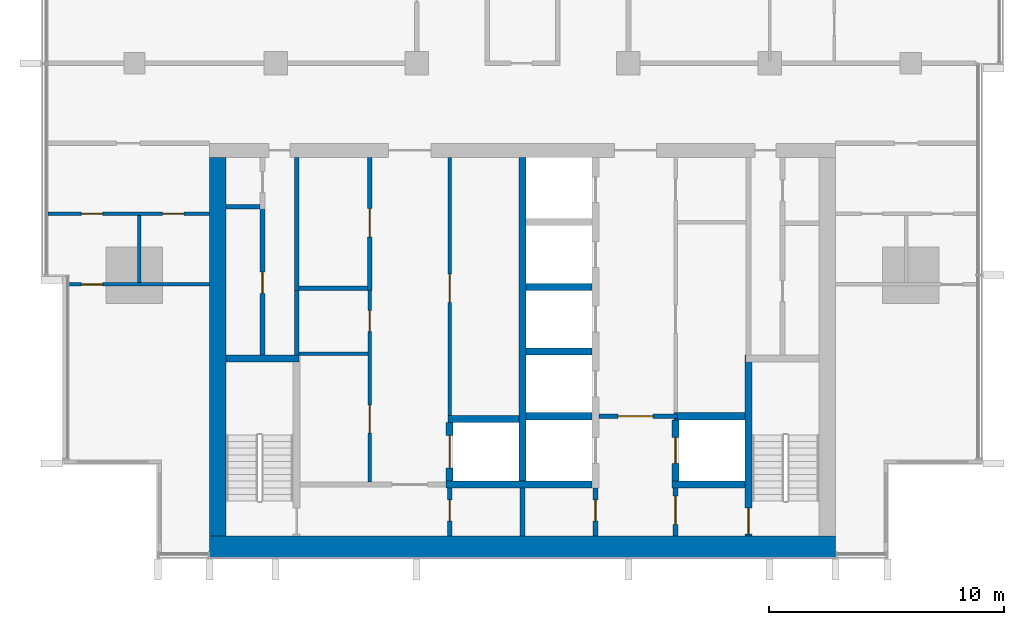
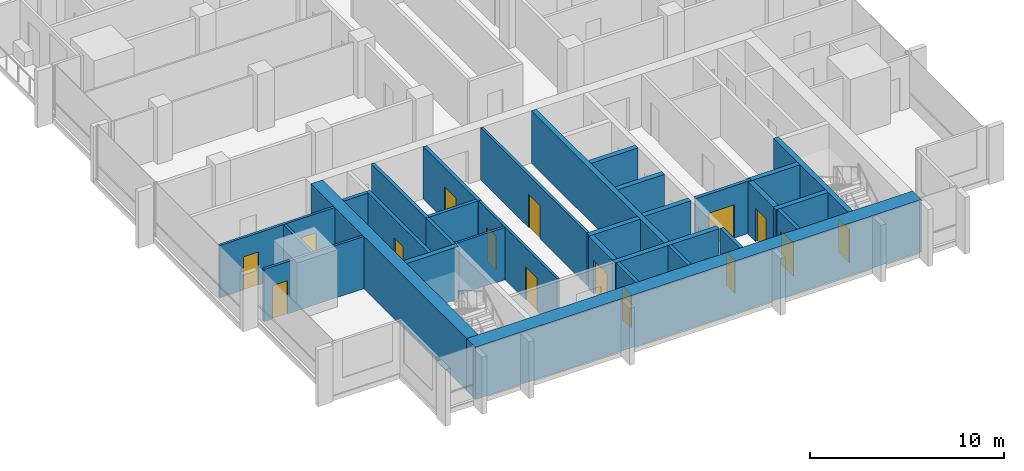
# One storey, part 7 of 16: 31 walls, 15 doors, 15 openings.
"""IFC4 building model written with IfcOpenShell, lengths in metres."""

from ifc_helpers import new_model, si_unit, direction, frame, frame_2d, origin, place, context, subcontext, project, spatial, rectangle, extrude, material, layer, layer_set, type_object, element, fill, save


model = new_model("IFC4")

# Units and contexts
model_context = context("Model", 3, precision=1e-05, world=origin(), true_north=direction((0.0, 1.0)))
body_context = subcontext(model_context, "Body", "Model", "MODEL_VIEW")
ifc_project = project(units=[si_unit("LENGTHUNIT", "METRE"), si_unit("AREAUNIT", "SQUARE_METRE"), si_unit("VOLUMEUNIT", "CUBIC_METRE"), si_unit("PLANEANGLEUNIT", "RADIAN"), si_unit("MASSUNIT", "GRAM", prefix="KILO")], contexts=[model_context])

# Site, building, storey
site_placement = place(None, origin())
site = spatial("IfcSite", under=ifc_project, at=site_placement, CompositionType="ELEMENT")
building_placement = place(site_placement, origin())
building = spatial("IfcBuilding", under=site, at=building_placement, Name="Finial Court Residences", CompositionType="ELEMENT")
storey_placement = place(building_placement, frame((0.0, 0.0, 185.300048828125)))
storey = spatial("IfcBuildingStorey", under=building, at=storey_placement, Name="L46", CompositionType="ELEMENT", Elevation=185.300048828125)

# Walls
ifc_material_1 = material(Name="Concrete C70/85", Category="concrete")
ifc_layer_1 = layer(ifc_material_1, 0.699951171875)
ifc_layer_set_1 = layer_set([ifc_layer_1], Name="Core outer wall 700 Concrete C70/85")
wall_type_1 = type_object("IfcWallType", Name="Core outer wall 700 Concrete C70/85", PredefinedType="SHEAR", material=ifc_layer_set_1)
wall_1_placement = place(storey_placement, frame((-12.949951171875, -24.60009765625, 0.0), z_axis=(0.0, 0.0, 1.0), x_axis=(0.0, 1.0, 0.0)))
element("IfcWall", 1, at=wall_1_placement, inside=storey, type_object=wall_type_1, Name="Core outer wall L46-03", PredefinedType="SHEAR", context=body_context, shape_type="SweptSolid", body=[
    extrude(rectangle(XDim=16.10009765625, YDim=0.699951171875, at=frame_2d((8.050048828125, 0.0))), origin(), (0.0, 0.0, 1.0), 3.300048828125),
])
ifc_material_2 = material(Name="Fire-rated gypsum board partition")
ifc_layer_2 = layer(ifc_material_2, 0.14990234375)
ifc_layer_set_2 = layer_set([ifc_layer_2], Name="Core room partition 150 EI 60")
wall_type_2 = type_object("IfcWallType", Name="Core room partition 150 EI 60", PredefinedType="PARTITIONING", material=ifc_layer_set_2)
wall_2_placement = place(storey_placement, frame((-9.5, -16.840087890625, 0.0), z_axis=(0.0, 0.0, 1.0), x_axis=(1.0, 0.0, 0.0)))
element("IfcWall", 2, at=wall_2_placement, inside=storey, type_object=wall_type_2, Name="Core partition L46-10", PredefinedType="PARTITIONING", context=body_context, shape_type="SweptSolid", body=[
    extrude(rectangle(XDim=2.925048828125, YDim=0.14990234375, at=frame_2d((1.46240234375, 0.0))), origin(), (0.0, 0.0, 1.0), 3.300048828125),
])

# Wall, openings, doors
wall_3_placement = place(storey_placement, frame((-6.5, -22.300048828125, 0.0), z_axis=(0.0, 0.0, 1.0), x_axis=(0.0, 1.0, 0.0)))
wall_3 = element("IfcWall", 3, at=wall_3_placement, inside=storey, type_object=wall_type_2, Name="Core partition L46-23", PredefinedType="PARTITIONING", context=body_context, shape_type="SweptSolid", body=[
    extrude(rectangle(XDim=8.14013671875, YDim=0.14990234375, at=frame_2d((4.070068359375, 0.0))), origin(), (0.0, 0.0, 1.0), 3.300048828125),
])
opening_1_placement = place(wall_3_placement, frame((2.080078125, 0.0, 0.0)))
opening_1 = element("IfcOpeningElement", 4, at=opening_1_placement, cuts=wall_3, Name="Opening L46-C15", PredefinedType="OPENING", context=body_context, shape_type="SweptSolid", body=[
    extrude(rectangle(XDim=1.199951171875, YDim=2.10009765625, at=frame_2d((0.60009765625, 1.050048828125))), frame((0.0, 0.0849609375, 0.0), z_axis=(0.0, -1.0, 0.0), x_axis=(1.0, 0.0, 0.0)), (0.0, 0.0, 1.0), 0.169921875),
])
opening_2_placement = place(wall_3_placement, frame((6.39990234375, 0.0, 0.0)))
opening_2 = element("IfcOpeningElement", 5, at=opening_2_placement, cuts=wall_3, Name="Opening L46-C16", PredefinedType="OPENING", context=body_context, shape_type="SweptSolid", body=[
    extrude(rectangle(XDim=0.89990234375, YDim=2.10009765625, at=frame_2d((0.449951171875, 1.050048828125))), frame((0.0, 0.0849609375, 0.0), z_axis=(0.0, -1.0, 0.0), x_axis=(1.0, 0.0, 0.0)), (0.0, 0.0, 1.0), 0.169921875),
])
ifc_material_3 = material(Name="Steel fire door", Category="steel")
door_type_1 = type_object("IfcDoorType", Name="Core room door 1200 x 2100 EI 60", OperationType="NOTDEFINED", PredefinedType="DOOR", material=ifc_material_3)
door_1_placement = place(opening_1_placement, origin())
door_1 = element("IfcDoor", 6, at=door_1_placement, inside=storey, type_object=door_type_1, Name="Core room door L46-C15", OperationType="SINGLE_SWING_LEFT", OverallHeight=2.10009765625, OverallWidth=1.199951171875, PredefinedType="DOOR", context=body_context, shape_type="SweptSolid", body=[
    extrude(rectangle(XDim=1.199951171875, YDim=2.10009765625, at=frame_2d((0.60009765625, 1.050048828125))), frame((0.0, 0.02490234375, 0.0), z_axis=(0.0, -1.0, 0.0), x_axis=(1.0, 0.0, 0.0)), (0.0, 0.0, 1.0), 0.050048828125),
])
fill(opening_1, door_1)
door_type_2 = type_object("IfcDoorType", Name="Core room door 900 x 2100 EI 60", OperationType="NOTDEFINED", PredefinedType="DOOR", material=ifc_material_3)
door_2_placement = place(opening_2_placement, origin())
door_2 = element("IfcDoor", 7, at=door_2_placement, inside=storey, type_object=door_type_2, Name="Core room door L46-C16", OperationType="SINGLE_SWING_RIGHT", OverallHeight=2.10009765625, OverallWidth=0.89990234375, PredefinedType="DOOR", context=body_context, shape_type="SweptSolid", body=[
    extrude(rectangle(XDim=0.89990234375, YDim=2.10009765625, at=frame_2d((0.449951171875, 1.050048828125))), frame((0.0, 0.02490234375, 0.0), z_axis=(0.0, -1.0, 0.0), x_axis=(1.0, 0.0, 0.0)), (0.0, 0.0, 1.0), 0.050048828125),
])
fill(opening_2, door_2)

# Wall, opening, door
wall_4_placement = place(storey_placement, frame((-3.10009765625, -8.5, 0.0), z_axis=(0.0, 0.0, 1.0), x_axis=(0.0, -1.0, 0.0)))
wall_4 = element("IfcWall", 8, at=wall_4_placement, inside=storey, type_object=wall_type_2, Name="Core partition L46-27", PredefinedType="PARTITIONING", context=body_context, shape_type="SweptSolid", body=[
    extrude(rectangle(XDim=10.969970703125, YDim=0.14990234375, at=frame_2d((5.48486328125, 0.0))), origin(), (0.0, 0.0, 1.0), 3.300048828125),
])
opening_3_placement = place(wall_4_placement, frame((4.9599609375, 0.0, 0.0)))
opening_3 = element("IfcOpeningElement", 9, at=opening_3_placement, cuts=wall_4, Name="Opening L46-C17", PredefinedType="OPENING", context=body_context, shape_type="SweptSolid", body=[
    extrude(rectangle(XDim=1.199951171875, YDim=2.10009765625, at=frame_2d((0.60009765625, 1.050048828125))), frame((0.0, 0.0849609375, 0.0), z_axis=(0.0, -1.0, 0.0), x_axis=(1.0, 0.0, 0.0)), (0.0, 0.0, 1.0), 0.169921875),
])
door_3_placement = place(opening_3_placement, origin())
door_3 = element("IfcDoor", 10, at=door_3_placement, inside=storey, type_object=door_type_1, Name="Core room door L46-C17", OperationType="SINGLE_SWING_RIGHT", OverallHeight=2.10009765625, OverallWidth=1.199951171875, PredefinedType="DOOR", context=body_context, shape_type="SweptSolid", body=[
    extrude(rectangle(XDim=1.199951171875, YDim=2.10009765625, at=frame_2d((0.60009765625, 1.050048828125))), frame((0.0, 0.02490234375, 0.0), z_axis=(0.0, -1.0, 0.0), x_axis=(1.0, 0.0, 0.0)), (0.0, 0.0, 1.0), 0.050048828125),
])
fill(opening_3, door_3)

# Wall
ifc_layer_3 = layer(ifc_material_1, 0.89990234375)
ifc_layer_set_3 = layer_set([ifc_layer_3], Name="Core south facade wall 900 Concrete C70/85")
wall_type_3 = type_object("IfcWallType", Name="Core south facade wall 900 Concrete C70/85", PredefinedType="SHEAR", material=ifc_layer_set_3)
wall_5_placement = place(storey_placement, frame((-13.300048828125, -25.050048828125, 0.0), z_axis=(0.0, 0.0, 1.0), x_axis=(1.0, 0.0, 0.0)))
element("IfcWall", 11, at=wall_5_placement, inside=storey, type_object=wall_type_3, Name="Core outer wall L46-01", PredefinedType="SHEAR", context=body_context, shape_type="SweptSolid", body=[
    extrude(rectangle(XDim=26.60009765625, YDim=0.89990234375, at=frame_2d((13.300048828125, 0.0))), origin(), (0.0, 0.0, 1.0), 3.300048828125),
])

# Wall, opening, door
ifc_layer_4 = layer(ifc_material_2, 0.199951171875)
ifc_layer_set_4 = layer_set([ifc_layer_4], Name="Firefighting lobby wall 200 EI 120")
wall_type_4 = type_object("IfcWallType", Name="Firefighting lobby wall 200 EI 120", PredefinedType="PARTITIONING", material=ifc_layer_set_4)
wall_6_placement = place(storey_placement, frame((6.574951171875, -19.5, 0.0), z_axis=(0.0, 0.0, 1.0), x_axis=(-1.0, 0.0, 0.0)))
wall_6 = element("IfcWall", 12, at=wall_6_placement, inside=storey, type_object=wall_type_4, Name="Core partition L46-06", PredefinedType="PARTITIONING", context=body_context, shape_type="SweptSolid", body=[
    extrude(rectangle(XDim=3.324951171875, YDim=0.199951171875, at=frame_2d((1.66259765625, 0.0))), origin(), (0.0, 0.0, 1.0), 3.300048828125),
])
opening_4_placement = place(wall_6_placement, frame((1.02490234375, 0.0, 0.0)))
opening_4 = element("IfcOpeningElement", 13, at=opening_4_placement, cuts=wall_6, Name="Opening L46-C02", PredefinedType="OPENING", context=body_context, shape_type="SweptSolid", body=[
    extrude(rectangle(XDim=1.5, YDim=2.10009765625, at=frame_2d((0.75, 1.050048828125))), frame((0.0, 0.10986328125, 0.0), z_axis=(0.0, -1.0, 0.0), x_axis=(1.0, 0.0, 0.0)), (0.0, 0.0, 1.0), 0.219970703125),
])
door_type_3 = type_object("IfcDoorType", Name="Firefighting lobby door 1500 x 2100 EI 90", OperationType="DOUBLE_DOOR_SINGLE_SWING", PredefinedType="DOOR", material=ifc_material_3)
door_4_placement = place(opening_4_placement, origin())
door_4 = element("IfcDoor", 14, at=door_4_placement, inside=storey, type_object=door_type_3, Name="Firefighting lobby door L46-C02", OperationType="DOUBLE_DOOR_SINGLE_SWING", OverallHeight=2.10009765625, OverallWidth=1.5, PredefinedType="DOOR", context=body_context, shape_type="SweptSolid", body=[
    extrude(rectangle(XDim=1.5, YDim=2.10009765625, at=frame_2d((0.75, 1.050048828125))), frame((0.0, 0.02490234375, 0.0), z_axis=(0.0, -1.0, 0.0), x_axis=(1.0, 0.0, 0.0)), (0.0, 0.0, 1.0), 0.050048828125),
])
fill(opening_4, door_4)

wall_7_placement = place(storey_placement, frame((3.10009765625, -24.60009765625, 0.0), z_axis=(0.0, 0.0, 1.0), x_axis=(0.0, 1.0, 0.0)))
wall_7 = element("IfcWall", 15, at=wall_7_placement, inside=storey, type_object=wall_type_4, Name="Core partition L46-30", PredefinedType="PARTITIONING", context=body_context, shape_type="SweptSolid", body=[
    extrude(rectangle(XDim=2.050048828125, YDim=0.199951171875, at=frame_2d((1.02490234375, 0.0))), origin(), (0.0, 0.0, 1.0), 3.300048828125),
])
opening_5_placement = place(wall_7_placement, frame((0.64990234375, 0.0, 0.0)))
opening_5 = element("IfcOpeningElement", 16, at=opening_5_placement, cuts=wall_7, Name="Opening L46-C06", PredefinedType="OPENING", context=body_context, shape_type="SweptSolid", body=[
    extrude(rectangle(XDim=0.89990234375, YDim=2.10009765625, at=frame_2d((0.449951171875, 1.050048828125))), frame((0.0, 0.10986328125, 0.0), z_axis=(0.0, -1.0, 0.0), x_axis=(1.0, 0.0, 0.0)), (0.0, 0.0, 1.0), 0.219970703125),
])
door_type_4 = type_object("IfcDoorType", Name="Riser room door 900 x 2100 EI 90", OperationType="NOTDEFINED", PredefinedType="DOOR", material=ifc_material_3)
door_5_placement = place(opening_5_placement, origin())
door_5 = element("IfcDoor", 17, at=door_5_placement, inside=storey, type_object=door_type_4, Name="Riser room door L46-C06", OperationType="SINGLE_SWING_LEFT", OverallHeight=2.10009765625, OverallWidth=0.89990234375, PredefinedType="DOOR", context=body_context, shape_type="SweptSolid", body=[
    extrude(rectangle(XDim=0.89990234375, YDim=2.10009765625, at=frame_2d((0.449951171875, 1.050048828125))), frame((0.0, 0.02490234375, 0.0), z_axis=(0.0, -1.0, 0.0), x_axis=(1.0, 0.0, 0.0)), (0.0, 0.0, 1.0), 0.050048828125),
])
fill(opening_5, door_5)

wall_8_placement = place(storey_placement, frame((6.5, -22.550048828125, 0.0), z_axis=(0.0, 0.0, 1.0), x_axis=(0.0, -1.0, 0.0)))
wall_8 = element("IfcWall", 18, at=wall_8_placement, inside=storey, type_object=wall_type_4, Name="Core partition L46-32", PredefinedType="PARTITIONING", context=body_context, shape_type="SweptSolid", body=[
    extrude(rectangle(XDim=2.050048828125, YDim=0.199951171875, at=frame_2d((1.02490234375, 0.0))), origin(), (0.0, 0.0, 1.0), 3.300048828125),
])
opening_6_placement = place(wall_8_placement, frame((0.35009765625, 0.0, 0.0)))
opening_6 = element("IfcOpeningElement", 19, at=opening_6_placement, cuts=wall_8, Name="Opening L46-C01", PredefinedType="OPENING", context=body_context, shape_type="SweptSolid", body=[
    extrude(rectangle(XDim=1.199951171875, YDim=2.10009765625, at=frame_2d((0.60009765625, 1.050048828125))), frame((0.0, 0.10986328125, 0.0), z_axis=(0.0, -1.0, 0.0), x_axis=(1.0, 0.0, 0.0)), (0.0, 0.0, 1.0), 0.219970703125),
])
door_type_5 = type_object("IfcDoorType", Name="Firefighting lobby door 1200 x 2100 EI 90", OperationType="NOTDEFINED", PredefinedType="DOOR", material=ifc_material_3)
door_6_placement = place(opening_6_placement, origin())
door_6 = element("IfcDoor", 20, at=door_6_placement, inside=storey, type_object=door_type_5, Name="Firefighting lobby door L46-C01", OperationType="SINGLE_SWING_RIGHT", OverallHeight=2.10009765625, OverallWidth=1.199951171875, PredefinedType="DOOR", context=body_context, shape_type="SweptSolid", body=[
    extrude(rectangle(XDim=1.199951171875, YDim=2.10009765625, at=frame_2d((0.60009765625, 1.050048828125))), frame((0.0, 0.02490234375, 0.0), z_axis=(0.0, -1.0, 0.0), x_axis=(1.0, 0.0, 0.0)), (0.0, 0.0, 1.0), 0.050048828125),
])
fill(opening_6, door_6)

ifc_material_4 = material(Name="Moisture-resistant gypsum board")
ifc_layer_5 = layer(ifc_material_4, 0.012451171875)
ifc_material_5 = material(Name="Mineral wool in light-gauge frame")
ifc_layer_6 = layer(ifc_material_5, 0.125)
ifc_layer_7 = layer(ifc_material_4, 0.012451171875)
ifc_layer_set_5 = layer_set([ifc_layer_5, ifc_layer_6, ifc_layer_7], Name="Gypsum board wet-area partition 150")
wall_type_5 = type_object("IfcWallType", Name="Gypsum board wet-area partition 150", PredefinedType="PARTITIONING", material=ifc_layer_set_5)
wall_9_placement = place(storey_placement, frame((-19.262451171875, -13.89990234375, 0.0), z_axis=(0.0, 0.0, 1.0), x_axis=(1.0, 0.0, 0.0)))
wall_9 = element("IfcWall", 21, at=wall_9_placement, inside=storey, type_object=wall_type_5, Name="Partition L46-000", PredefinedType="PARTITIONING", context=body_context, shape_type="SweptSolid", body=[
    extrude(rectangle(XDim=5.96240234375, YDim=0.14990234375, at=frame_2d((2.981201171875, 0.0))), origin(), (0.0, 0.0, 1.0), 3.300048828125),
])
opening_7_placement = place(wall_9_placement, frame((0.511962890625, 0.0, 0.0)))
opening_7 = element("IfcOpeningElement", 22, at=opening_7_placement, cuts=wall_9, Name="Opening L46-D001", PredefinedType="OPENING", context=body_context, shape_type="SweptSolid", body=[
    extrude(rectangle(XDim=0.89990234375, YDim=2.10009765625, at=frame_2d((0.449951171875, 1.050048828125))), frame((0.0, 0.0849609375, 0.0), z_axis=(0.0, -1.0, 0.0), x_axis=(1.0, 0.0, 0.0)), (0.0, 0.0, 1.0), 0.169921875),
])
ifc_material_6 = material(Name="Timber door leaf in timber frame", Category="wood")
door_type_6 = type_object("IfcDoorType", Name="Door set 900 x 2100", OperationType="SINGLE_SWING_LEFT", PredefinedType="DOOR", material=ifc_material_6)
door_7_placement = place(opening_7_placement, origin())
door_7 = element("IfcDoor", 23, at=door_7_placement, inside=storey, type_object=door_type_6, Name="Door L46-D001", OperationType="SINGLE_SWING_LEFT", OverallHeight=2.10009765625, OverallWidth=0.89990234375, PredefinedType="DOOR", context=body_context, shape_type="SweptSolid", body=[
    extrude(rectangle(XDim=0.89990234375, YDim=2.10009765625, at=frame_2d((0.449951171875, 1.050048828125))), frame((0.0, 0.02490234375, 0.0), z_axis=(0.0, -1.0, 0.0), x_axis=(1.0, 0.0, 0.0)), (0.0, 0.0, 1.0), 0.050048828125),
])
fill(opening_7, door_7)

# Wall, openings, doors
wall_10_placement = place(storey_placement, frame((-20.16259765625, -10.89990234375, 0.0), z_axis=(0.0, 0.0, 1.0), x_axis=(1.0, 0.0, 0.0)))
wall_10 = element("IfcWall", 24, at=wall_10_placement, inside=storey, type_object=wall_type_5, Name="Partition L46-002", PredefinedType="PARTITIONING", context=body_context, shape_type="SweptSolid", body=[
    extrude(rectangle(XDim=6.862548828125, YDim=0.14990234375, at=frame_2d((3.43115234375, 0.0))), origin(), (0.0, 0.0, 1.0), 3.300048828125),
])
opening_8_placement = place(wall_10_placement, frame((1.4130859375, 0.0, 0.0)))
opening_8 = element("IfcOpeningElement", 25, at=opening_8_placement, cuts=wall_10, Name="Opening L46-D003", PredefinedType="OPENING", context=body_context, shape_type="SweptSolid", body=[
    extrude(rectangle(XDim=0.89990234375, YDim=2.10009765625, at=frame_2d((0.449951171875, 1.050048828125))), frame((0.0, 0.0849609375, 0.0), z_axis=(0.0, -1.0, 0.0), x_axis=(1.0, 0.0, 0.0)), (0.0, 0.0, 1.0), 0.169921875),
])
opening_9_placement = place(wall_10_placement, frame((4.863037109375, 0.0, 0.0)))
opening_9 = element("IfcOpeningElement", 26, at=opening_9_placement, cuts=wall_10, Name="Opening L46-D004", PredefinedType="OPENING", context=body_context, shape_type="SweptSolid", body=[
    extrude(rectangle(XDim=0.89990234375, YDim=2.10009765625, at=frame_2d((0.449951171875, 1.050048828125))), frame((0.0, 0.0849609375, 0.0), z_axis=(0.0, -1.0, 0.0), x_axis=(1.0, 0.0, 0.0)), (0.0, 0.0, 1.0), 0.169921875),
])
door_8_placement = place(opening_8_placement, origin())
door_8 = element("IfcDoor", 27, at=door_8_placement, inside=storey, type_object=door_type_6, Name="Door L46-D003", OperationType="SINGLE_SWING_LEFT", OverallHeight=2.10009765625, OverallWidth=0.89990234375, PredefinedType="DOOR", context=body_context, shape_type="SweptSolid", body=[
    extrude(rectangle(XDim=0.89990234375, YDim=2.10009765625, at=frame_2d((0.449951171875, 1.050048828125))), frame((0.0, 0.02490234375, 0.0), z_axis=(0.0, -1.0, 0.0), x_axis=(1.0, 0.0, 0.0)), (0.0, 0.0, 1.0), 0.050048828125),
])
fill(opening_8, door_8)
door_9_placement = place(opening_9_placement, origin())
door_9 = element("IfcDoor", 28, at=door_9_placement, inside=storey, type_object=door_type_6, Name="Door L46-D004", OperationType="SINGLE_SWING_RIGHT", OverallHeight=2.10009765625, OverallWidth=0.89990234375, PredefinedType="DOOR", context=body_context, shape_type="SweptSolid", body=[
    extrude(rectangle(XDim=0.89990234375, YDim=2.10009765625, at=frame_2d((0.449951171875, 1.050048828125))), frame((0.0, 0.02490234375, 0.0), z_axis=(0.0, -1.0, 0.0), x_axis=(1.0, 0.0, 0.0)), (0.0, 0.0, 1.0), 0.050048828125),
])
fill(opening_9, door_9)

# Walls
wall_11_placement = place(storey_placement, frame((-16.300048828125, -13.824951171875, 0.0), z_axis=(0.0, 0.0, 1.0), x_axis=(0.0, 1.0, 0.0)))
element("IfcWall", 29, at=wall_11_placement, inside=storey, type_object=wall_type_5, Name="Partition L46-026", PredefinedType="PARTITIONING", context=body_context, shape_type="SweptSolid", body=[
    extrude(rectangle(XDim=2.849853515625, YDim=0.14990234375, at=frame_2d((1.4248046875, 0.0))), origin(), (0.0, 0.0, 1.0), 3.300048828125),
])
ifc_layer_8 = layer(ifc_material_1, 0.300048828125)
ifc_layer_set_6 = layer_set([ifc_layer_8], Name="Lift shaft and stair wall 300 Concrete C70/85")
wall_type_6 = type_object("IfcWallType", Name="Lift shaft and stair wall 300 Concrete C70/85", PredefinedType="SHEAR", material=ifc_layer_set_6)
wall_12_placement = place(storey_placement, frame((-3.25, -22.39990234375, 0.0), z_axis=(0.0, 0.0, 1.0), x_axis=(1.0, 0.0, 0.0)))
element("IfcWall", 30, at=wall_12_placement, inside=storey, type_object=wall_type_6, Name="Core wall L46-02", PredefinedType="SHEAR", context=body_context, shape_type="SweptSolid", body=[
    extrude(rectangle(XDim=6.199951171875, YDim=0.300048828125, at=frame_2d((3.10009765625, 0.0))), origin(), (0.0, 0.0, 1.0), 3.300048828125),
])
wall_13_placement = place(storey_placement, frame((6.35009765625, -22.39990234375, 0.0), z_axis=(0.0, 0.0, 1.0), x_axis=(1.0, 0.0, 0.0)))
element("IfcWall", 31, at=wall_13_placement, inside=storey, type_object=wall_type_6, Name="Core wall L46-03", PredefinedType="SHEAR", context=body_context, shape_type="SweptSolid", body=[
    extrude(rectangle(XDim=3.099853515625, YDim=0.300048828125, at=frame_2d((1.5498046875, 0.0))), origin(), (0.0, 0.0, 1.0), 3.300048828125),
])
wall_14_placement = place(storey_placement, frame((-3.175048828125, -19.6201171875, 0.0), z_axis=(0.0, 0.0, 1.0), x_axis=(1.0, 0.0, 0.0)))
element("IfcWall", 32, at=wall_14_placement, inside=storey, type_object=wall_type_6, Name="Core wall L46-04", PredefinedType="SHEAR", context=body_context, shape_type="SweptSolid", body=[
    extrude(rectangle(XDim=3.025146484375, YDim=0.300048828125, at=frame_2d((1.5126953125, 0.0))), origin(), (0.0, 0.0, 1.0), 3.300048828125),
])
wall_15_placement = place(storey_placement, frame((0.14990234375, -19.5, 0.0), z_axis=(0.0, 0.0, 1.0), x_axis=(1.0, 0.0, 0.0)))
element("IfcWall", 33, at=wall_15_placement, inside=storey, type_object=wall_type_6, Name="Core wall L46-05", PredefinedType="SHEAR", context=body_context, shape_type="SweptSolid", body=[
    extrude(rectangle(XDim=2.800048828125, YDim=0.300048828125, at=frame_2d((1.39990234375, 0.0))), origin(), (0.0, 0.0, 1.0), 3.300048828125),
])
wall_16_placement = place(storey_placement, frame((6.425048828125, -19.5, 0.0), z_axis=(0.0, 0.0, 1.0), x_axis=(1.0, 0.0, 0.0)))
element("IfcWall", 34, at=wall_16_placement, inside=storey, type_object=wall_type_6, Name="Core wall L46-07", PredefinedType="SHEAR", context=body_context, shape_type="SweptSolid", body=[
    extrude(rectangle(XDim=3.02490234375, YDim=0.300048828125, at=frame_2d((1.512451171875, 0.0))), origin(), (0.0, 0.0, 1.0), 3.300048828125),
])
wall_17_placement = place(storey_placement, frame((-12.60009765625, -17.050048828125, 0.0), z_axis=(0.0, 0.0, 1.0), x_axis=(1.0, 0.0, 0.0)))
element("IfcWall", 35, at=wall_17_placement, inside=storey, type_object=wall_type_6, Name="Core wall L46-08", PredefinedType="SHEAR", context=body_context, shape_type="SweptSolid", body=[
    extrude(rectangle(XDim=3.10009765625, YDim=0.300048828125, at=frame_2d((1.550048828125, 0.0))), origin(), (0.0, 0.0, 1.0), 3.300048828125),
])
for number, where, z_axis, x_axis, name in (
    (36, (0.14990234375, -16.75, 0.0), (0.0, 0.0, 1.0), (1.0, 0.0, 0.0), "Core wall L46-11"),
    (37, (0.14990234375, -14.0, 0.0), (0.0, 0.0, 1.0), (1.0, 0.0, 0.0), "Core wall L46-13"),
):
    element("IfcWall", number, at=place(storey_placement, frame(where, z_axis=z_axis, x_axis=x_axis)), inside=storey, type_object=wall_type_6, Name=name, PredefinedType="SHEAR", context=body_context, shape_type="SweptSolid", body=[
        extrude(rectangle(XDim=2.800048828125, YDim=0.300048828125, at=frame_2d((1.39990234375, 0.0))), origin(), (0.0, 0.0, 1.0), 3.300048828125),
    ])

# Wall, opening, door
wall_18_placement = place(storey_placement, frame((-3.10009765625, -22.25, 0.0), z_axis=(0.0, 0.0, 1.0), x_axis=(0.0, 1.0, 0.0)))
wall_18 = element("IfcWall", 38, at=wall_18_placement, inside=storey, type_object=wall_type_6, Name="Core wall L46-26", PredefinedType="SHEAR", context=body_context, shape_type="SweptSolid", body=[
    extrude(rectangle(XDim=2.47998046875, YDim=0.300048828125, at=frame_2d((1.239990234375, 0.0))), origin(), (0.0, 0.0, 1.0), 3.300048828125),
])
opening_10_placement = place(wall_18_placement, frame((0.5400390625, 0.0, 0.0)))
opening_10 = element("IfcOpeningElement", 39, at=opening_10_placement, cuts=wall_18, Name="Opening L46-LD07", PredefinedType="OPENING", context=body_context, shape_type="SweptSolid", body=[
    extrude(rectangle(XDim=1.39990234375, YDim=2.10009765625, at=frame_2d((0.699951171875, 1.050048828125))), frame((0.0, 0.159912109375, 0.0), z_axis=(0.0, -1.0, 0.0), x_axis=(1.0, 0.0, 0.0)), (0.0, 0.0, 1.0), 0.320068359375),
])
ifc_material_7 = material(Name="Stainless steel lift door", Category="steel")
door_type_7 = type_object("IfcDoorType", Name="Lift landing door 1400 x 2100 EI 90", OperationType="DOUBLE_DOOR_SLIDING", PredefinedType="DOOR", material=ifc_material_7)
door_10_placement = place(opening_10_placement, origin())
door_10 = element("IfcDoor", 40, at=door_10_placement, inside=storey, type_object=door_type_7, Name="Lift landing door SV1 L46", OperationType="DOUBLE_DOOR_SLIDING", OverallHeight=2.10009765625, OverallWidth=1.39990234375, PredefinedType="DOOR", context=body_context, shape_type="SweptSolid", body=[
    extrude(rectangle(XDim=1.39990234375, YDim=2.10009765625, at=frame_2d((0.699951171875, 1.050048828125))), frame((0.0, 0.02490234375, 0.0), z_axis=(0.0, -1.0, 0.0), x_axis=(1.0, 0.0, 0.0)), (0.0, 0.0, 1.0), 0.050048828125),
])
fill(opening_10, door_10)

# Wall
wall_19_placement = place(storey_placement, frame((0.0, -22.25, 0.0), z_axis=(0.0, 0.0, 1.0), x_axis=(0.0, 1.0, 0.0)))
element("IfcWall", 41, at=wall_19_placement, inside=storey, type_object=wall_type_6, Name="Core wall L46-29", PredefinedType="SHEAR", context=body_context, shape_type="SweptSolid", body=[
    extrude(rectangle(XDim=13.75, YDim=0.300048828125, at=frame_2d((6.875, 0.0))), origin(), (0.0, 0.0, 1.0), 3.300048828125),
])

# Wall, opening, door
wall_20_placement = place(storey_placement, frame((6.5, -22.25, 0.0), z_axis=(0.0, 0.0, 1.0), x_axis=(0.0, 1.0, 0.0)))
wall_20 = element("IfcWall", 42, at=wall_20_placement, inside=storey, type_object=wall_type_6, Name="Core wall L46-33", PredefinedType="SHEAR", context=body_context, shape_type="SweptSolid", body=[
    extrude(rectangle(XDim=2.60009765625, YDim=0.300048828125, at=frame_2d((1.300048828125, 0.0))), origin(), (0.0, 0.0, 1.0), 3.300048828125),
])
opening_11_placement = place(wall_20_placement, frame((0.75, 0.0, 0.0)))
opening_11 = element("IfcOpeningElement", 43, at=opening_11_placement, cuts=wall_20, Name="Opening L46-LD02", PredefinedType="OPENING", context=body_context, shape_type="SweptSolid", body=[
    extrude(rectangle(XDim=1.10009765625, YDim=2.10009765625, at=frame_2d((0.550048828125, 1.050048828125))), frame((0.0, 0.159912109375, 0.0), z_axis=(0.0, -1.0, 0.0), x_axis=(1.0, 0.0, 0.0)), (0.0, 0.0, 1.0), 0.320068359375),
])
door_type_8 = type_object("IfcDoorType", Name="Lift landing door 1100 x 2100 EI 90", OperationType="DOUBLE_DOOR_SLIDING", PredefinedType="DOOR", material=ifc_material_7)
door_11_placement = place(opening_11_placement, origin())
door_11 = element("IfcDoor", 44, at=door_11_placement, inside=storey, type_object=door_type_8, Name="Lift landing door FF2 L46", OperationType="DOUBLE_DOOR_SLIDING", OverallHeight=2.10009765625, OverallWidth=1.10009765625, PredefinedType="DOOR", context=body_context, shape_type="SweptSolid", body=[
    extrude(rectangle(XDim=1.10009765625, YDim=2.10009765625, at=frame_2d((0.550048828125, 1.050048828125))), frame((0.0, 0.02490234375, 0.0), z_axis=(0.0, -1.0, 0.0), x_axis=(1.0, 0.0, 0.0)), (0.0, 0.0, 1.0), 0.050048828125),
])
fill(opening_11, door_11)

wall_21_placement = place(storey_placement, frame((9.60009765625, -16.89990234375, 0.0), z_axis=(0.0, 0.0, 1.0), x_axis=(0.0, -1.0, 0.0)))
wall_21 = element("IfcWall", 45, at=wall_21_placement, inside=storey, type_object=wall_type_6, Name="Core wall L46-35", PredefinedType="SHEAR", context=body_context, shape_type="SweptSolid", body=[
    extrude(rectangle(XDim=7.7001953125, YDim=0.300048828125, at=frame_2d((3.85009765625, 0.0))), origin(), (0.0, 0.0, 1.0), 3.300048828125),
])
opening_12_placement = place(wall_21_placement, frame((6.5, 0.0, 0.0)))
opening_12 = element("IfcOpeningElement", 46, at=opening_12_placement, cuts=wall_21, Name="Opening L46-C21", PredefinedType="OPENING", context=body_context, shape_type="SweptSolid", body=[
    extrude(rectangle(XDim=1.10009765625, YDim=2.10009765625, at=frame_2d((0.550048828125, 1.050048828125))), frame((0.0, 0.159912109375, 0.0), z_axis=(0.0, -1.0, 0.0), x_axis=(1.0, 0.0, 0.0)), (0.0, 0.0, 1.0), 0.320068359375),
])
door_type_9 = type_object("IfcDoorType", Name="Stair door 1100 x 2100 EI 90", OperationType="NOTDEFINED", PredefinedType="DOOR", material=ifc_material_3)
door_12_placement = place(opening_12_placement, origin())
door_12 = element("IfcDoor", 47, at=door_12_placement, inside=storey, type_object=door_type_9, Name="Stair door L46-C21", OperationType="SINGLE_SWING_RIGHT", OverallHeight=2.10009765625, OverallWidth=1.10009765625, PredefinedType="DOOR", context=body_context, shape_type="SweptSolid", body=[
    extrude(rectangle(XDim=1.10009765625, YDim=2.10009765625, at=frame_2d((0.550048828125, 1.050048828125))), frame((0.0, 0.02490234375, 0.0), z_axis=(0.0, -1.0, 0.0), x_axis=(1.0, 0.0, 0.0)), (0.0, 0.0, 1.0), 0.050048828125),
])
fill(opening_12, door_12)

# Walls
ifc_layer_9 = layer(ifc_material_2, 0.199951171875)
ifc_layer_set_7 = layer_set([ifc_layer_9], Name="Riser room wall 200 EI 120")
wall_type_7 = type_object("IfcWallType", Name="Riser room wall 200 EI 120", PredefinedType="PARTITIONING", material=ifc_layer_set_7)
wall_22_placement = place(storey_placement, frame((-9.5, -14.06005859375, 0.0), z_axis=(0.0, 0.0, 1.0), x_axis=(1.0, 0.0, 0.0)))
element("IfcWall", 48, at=wall_22_placement, inside=storey, type_object=wall_type_7, Name="Core partition L46-12", PredefinedType="PARTITIONING", context=body_context, shape_type="SweptSolid", body=[
    extrude(rectangle(XDim=2.89990234375, YDim=0.199951171875, at=frame_2d((1.449951171875, 0.0))), origin(), (0.0, 0.0, 1.0), 3.300048828125),
])
wall_23_placement = place(storey_placement, frame((-12.60009765625, -10.60009765625, 0.0), z_axis=(0.0, 0.0, 1.0), x_axis=(1.0, 0.0, 0.0)))
element("IfcWall", 49, at=wall_23_placement, inside=storey, type_object=wall_type_7, Name="Core partition L46-17", PredefinedType="PARTITIONING", context=body_context, shape_type="SweptSolid", body=[
    extrude(rectangle(XDim=1.4501953125, YDim=0.199951171875, at=frame_2d((0.72509765625, 0.0))), origin(), (0.0, 0.0, 1.0), 3.300048828125),
])
wall_24_placement = place(storey_placement, frame((-9.60009765625, -14.159912109375, 0.0), z_axis=(0.0, 0.0, 1.0), x_axis=(0.0, 1.0, 0.0)))
element("IfcWall", 50, at=wall_24_placement, inside=storey, type_object=wall_type_7, Name="Core partition L46-22", PredefinedType="PARTITIONING", context=body_context, shape_type="SweptSolid", body=[
    extrude(rectangle(XDim=5.659912109375, YDim=0.199951171875, at=frame_2d((2.830078125, 0.0))), origin(), (0.0, 0.0, 1.0), 3.300048828125),
])

# Wall, opening, door
wall_25_placement = place(storey_placement, frame((-6.5, -14.159912109375, 0.0), z_axis=(0.0, 0.0, 1.0), x_axis=(0.0, 1.0, 0.0)))
wall_25 = element("IfcWall", 51, at=wall_25_placement, inside=storey, type_object=wall_type_7, Name="Core partition L46-24", PredefinedType="PARTITIONING", context=body_context, shape_type="SweptSolid", body=[
    extrude(rectangle(XDim=5.659912109375, YDim=0.199951171875, at=frame_2d((2.830078125, 0.0))), origin(), (0.0, 0.0, 1.0), 3.300048828125),
])
opening_13_placement = place(wall_25_placement, frame((2.280029296875, 0.0, 0.0)))
opening_13 = element("IfcOpeningElement", 52, at=opening_13_placement, cuts=wall_25, Name="Opening L46-C09", PredefinedType="OPENING", context=body_context, shape_type="SweptSolid", body=[
    extrude(rectangle(XDim=1.199951171875, YDim=2.10009765625, at=frame_2d((0.60009765625, 1.050048828125))), frame((0.0, 0.10986328125, 0.0), z_axis=(0.0, -1.0, 0.0), x_axis=(1.0, 0.0, 0.0)), (0.0, 0.0, 1.0), 0.219970703125),
])
door_type_10 = type_object("IfcDoorType", Name="Riser room door 1200 x 2100 EI 90", OperationType="NOTDEFINED", PredefinedType="DOOR", material=ifc_material_3)
door_13_placement = place(opening_13_placement, origin())
door_13 = element("IfcDoor", 53, at=door_13_placement, inside=storey, type_object=door_type_10, Name="Riser room door L46-C09", OperationType="SINGLE_SWING_RIGHT", OverallHeight=2.10009765625, OverallWidth=1.199951171875, PredefinedType="DOOR", context=body_context, shape_type="SweptSolid", body=[
    extrude(rectangle(XDim=1.199951171875, YDim=2.10009765625, at=frame_2d((0.60009765625, 1.050048828125))), frame((0.0, 0.02490234375, 0.0), z_axis=(0.0, -1.0, 0.0), x_axis=(1.0, 0.0, 0.0)), (0.0, 0.0, 1.0), 0.050048828125),
])
fill(opening_13, door_13)

# Wall
wall_26_placement = place(storey_placement, frame((0.0, -24.60009765625, 0.0), z_axis=(0.0, 0.0, 1.0), x_axis=(0.0, 1.0, 0.0)))
element("IfcWall", 54, at=wall_26_placement, inside=storey, type_object=wall_type_7, Name="Core partition L46-28", PredefinedType="PARTITIONING", context=body_context, shape_type="SweptSolid", body=[
    extrude(rectangle(XDim=2.050048828125, YDim=0.199951171875, at=frame_2d((1.02490234375, 0.0))), origin(), (0.0, 0.0, 1.0), 3.300048828125),
])

# Wall, opening, door
ifc_layer_10 = layer(ifc_material_2, 0.199951171875)
ifc_layer_set_8 = layer_set([ifc_layer_10], Name="Stair passage wall 200 EI 180")
wall_type_8 = type_object("IfcWallType", Name="Stair passage wall 200 EI 180", PredefinedType="PARTITIONING", material=ifc_layer_set_8)
wall_27_placement = place(storey_placement, frame((-11.050048828125, -16.89990234375, 0.0), z_axis=(0.0, 0.0, 1.0), x_axis=(0.0, 1.0, 0.0)))
wall_27 = element("IfcWall", 55, at=wall_27_placement, inside=storey, type_object=wall_type_8, Name="Core partition L46-18", PredefinedType="PARTITIONING", context=body_context, shape_type="SweptSolid", body=[
    extrude(rectangle(XDim=6.39990234375, YDim=0.199951171875, at=frame_2d((3.199951171875, 0.0))), origin(), (0.0, 0.0, 1.0), 3.300048828125),
])
opening_14_placement = place(wall_27_placement, frame((2.625, 0.0, 0.0)))
opening_14 = element("IfcOpeningElement", 56, at=opening_14_placement, cuts=wall_27, Name="Opening L46-C13", PredefinedType="OPENING", context=body_context, shape_type="SweptSolid", body=[
    extrude(rectangle(XDim=0.89990234375, YDim=2.10009765625, at=frame_2d((0.449951171875, 1.050048828125))), frame((0.0, 0.10986328125, 0.0), z_axis=(0.0, -1.0, 0.0), x_axis=(1.0, 0.0, 0.0)), (0.0, 0.0, 1.0), 0.219970703125),
])
door_14_placement = place(opening_14_placement, origin())
door_14 = element("IfcDoor", 57, at=door_14_placement, inside=storey, type_object=door_type_2, Name="Core room door L46-C13", OperationType="SINGLE_SWING_RIGHT", OverallHeight=2.10009765625, OverallWidth=0.89990234375, PredefinedType="DOOR", context=body_context, shape_type="SweptSolid", body=[
    extrude(rectangle(XDim=0.89990234375, YDim=2.10009765625, at=frame_2d((0.449951171875, 1.050048828125))), frame((0.0, 0.02490234375, 0.0), z_axis=(0.0, -1.0, 0.0), x_axis=(1.0, 0.0, 0.0)), (0.0, 0.0, 1.0), 0.050048828125),
])
fill(opening_14, door_14)

# Wall
wall_28_placement = place(storey_placement, frame((-9.60009765625, -16.89990234375, 0.0), z_axis=(0.0, 0.0, 1.0), x_axis=(0.0, 1.0, 0.0)))
element("IfcWall", 58, at=wall_28_placement, inside=storey, type_object=wall_type_8, Name="Core partition L46-21", PredefinedType="PARTITIONING", context=body_context, shape_type="SweptSolid", body=[
    extrude(rectangle(XDim=2.739990234375, YDim=0.199951171875, at=frame_2d((1.3701171875, 0.0))), origin(), (0.0, 0.0, 1.0), 3.300048828125),
])

# Wall, opening, door
wall_29_placement = place(storey_placement, frame((-3.10009765625, -22.550048828125, 0.0), z_axis=(0.0, 0.0, 1.0), x_axis=(0.0, -1.0, 0.0)))
wall_29 = element("IfcWall", 59, at=wall_29_placement, inside=storey, type_object=wall_type_8, Name="Core partition L46-25", PredefinedType="PARTITIONING", context=body_context, shape_type="SweptSolid", body=[
    extrude(rectangle(XDim=2.050048828125, YDim=0.199951171875, at=frame_2d((1.02490234375, 0.0))), origin(), (0.0, 0.0, 1.0), 3.300048828125),
])
opening_15_placement = place(wall_29_placement, frame((0.5, 0.0, 0.0)))
opening_15 = element("IfcOpeningElement", 60, at=opening_15_placement, cuts=wall_29, Name="Opening L46-C12", PredefinedType="OPENING", context=body_context, shape_type="SweptSolid", body=[
    extrude(rectangle(XDim=0.89990234375, YDim=2.10009765625, at=frame_2d((0.449951171875, 1.050048828125))), frame((0.0, 0.10986328125, 0.0), z_axis=(0.0, -1.0, 0.0), x_axis=(1.0, 0.0, 0.0)), (0.0, 0.0, 1.0), 0.219970703125),
])
door_15_placement = place(opening_15_placement, origin())
door_15 = element("IfcDoor", 61, at=door_15_placement, inside=storey, type_object=door_type_2, Name="Core room door L46-C12", OperationType="SINGLE_SWING_RIGHT", OverallHeight=2.10009765625, OverallWidth=0.89990234375, PredefinedType="DOOR", context=body_context, shape_type="SweptSolid", body=[
    extrude(rectangle(XDim=0.89990234375, YDim=2.10009765625, at=frame_2d((0.449951171875, 1.050048828125))), frame((0.0, 0.02490234375, 0.0), z_axis=(0.0, -1.0, 0.0), x_axis=(1.0, 0.0, 0.0)), (0.0, 0.0, 1.0), 0.050048828125),
])
fill(opening_15, door_15)

save(model, "model.ifc")
